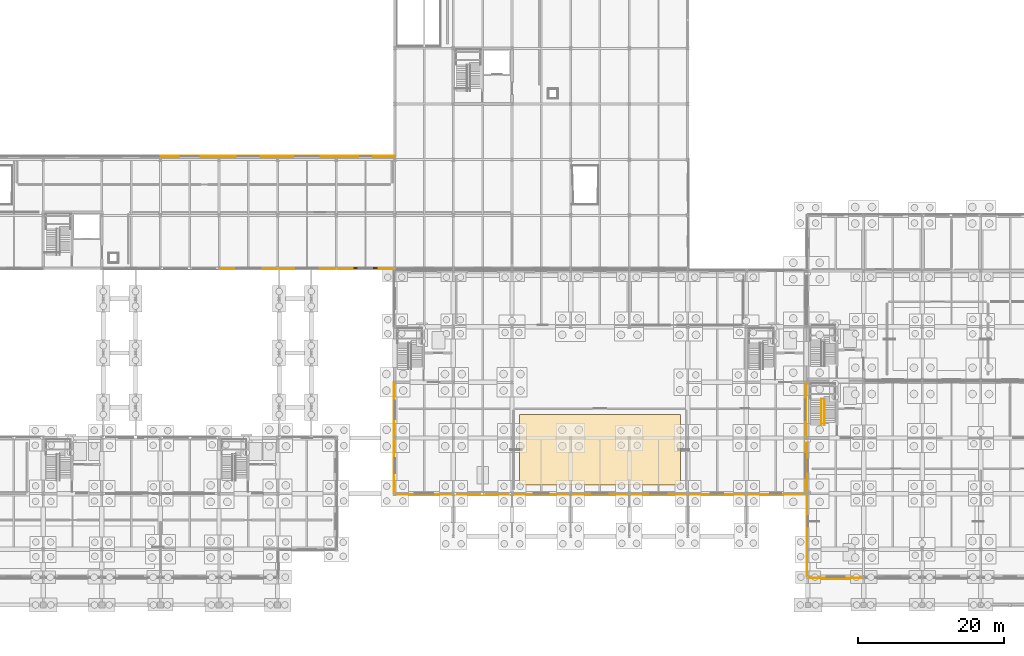
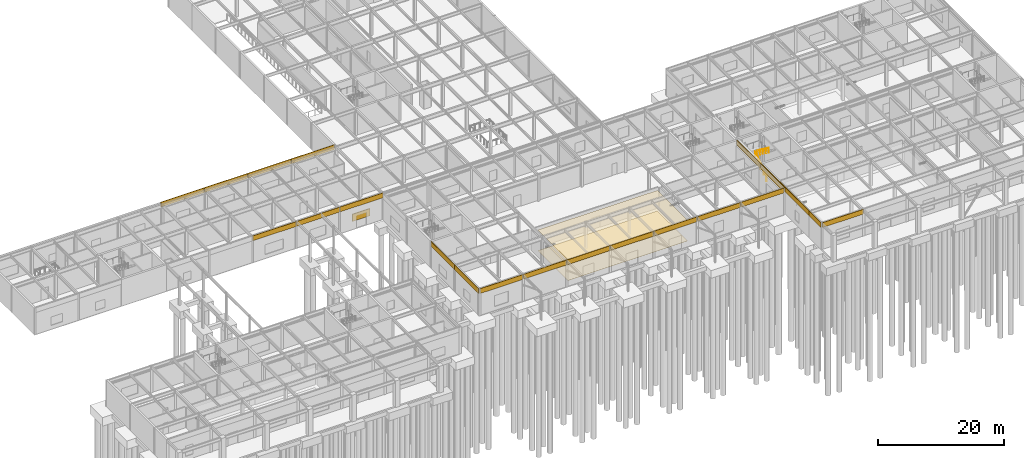
# One storey, part 55 of 62: 24 coverings, 2 railings, 1 shading device.
"""IFC4 building model written with IfcOpenShell, lengths in metres."""

from ifc_helpers import new_model, si_unit, direction, frame, origin, origin_2d, place, context, subcontext, project, spatial, polyline, rectangle, circle, outline, extrude, material, layer, layer_set, type_object, element, save


model = new_model("IFC4")

# Units and contexts
model_context = context("Model", 3, precision=1e-05, world=origin(), true_north=direction((0.0, 1.0)))
body_context = subcontext(model_context, "Body", "Model", "MODEL_VIEW")
ifc_project = project(units=[si_unit("LENGTHUNIT", "METRE"), si_unit("AREAUNIT", "SQUARE_METRE"), si_unit("VOLUMEUNIT", "CUBIC_METRE"), si_unit("PLANEANGLEUNIT", "RADIAN"), si_unit("MASSUNIT", "GRAM", prefix="KILO")], contexts=[model_context])

# Site, building, storey
site_placement = place(None, origin())
site = spatial("IfcSite", under=ifc_project, at=site_placement, CompositionType="ELEMENT")
building_placement = place(site_placement, origin())
building = spatial("IfcBuilding", under=site, at=building_placement, Name="Zulena Civic Courthouse", CompositionType="ELEMENT")
storey_placement = place(building_placement, origin())
storey = spatial("IfcBuildingStorey", under=building, at=storey_placement, Name="L00", CompositionType="ELEMENT", Elevation=0.0)

# Covering
ifc_material_1 = material(Name="Perforated acoustic mineral-fibre ceiling tile", Category="concrete")
ifc_layer_1 = layer(ifc_material_1, 0.02490234375)
ifc_layer_set_1 = layer_set([ifc_layer_1], Name="Perforated acoustic mineral-fibre ceiling tile")
covering_type_1 = type_object("IfcCoveringType", Name="AcousticCeiling_25", PredefinedType="CEILING", material=ifc_layer_set_1)
covering_1_placement = place(storey_placement, frame((0.0, 0.0, 4.02001953125)))
element("IfcCovering", 1, at=covering_1_placement, inside=storey, type_object=covering_type_1, Name="ceil:L00:231", PredefinedType="CEILING", context=body_context, shape_type="SweptSolid", body=[
    extrude(outline(polyline([(85.0, 16.39990234375), (107.0, 16.39990234375), (107.0, 26.0), (85.0, 26.0), (85.0, 16.39990234375)])), origin(), (0.0, 0.0, 1.0), 0.02490234375),
])

# Shading device
ifc_material_2 = material(Name="Bronze anodised thermally broken aluminium AA6063-T6", Category="aluminium")
shading_device_type = type_object("IfcShadingDeviceType", Name="AcousticStormLouvre_2", PredefinedType="JALOUSIE", material=ifc_material_2)
shading_device_placement = place(storey_placement, frame((64.0, 46.0, 1.5), z_axis=(0.0, 0.0, 1.0), x_axis=(1.0, 0.0, 0.0)))
element("IfcShadingDevice", 2, at=shading_device_placement, inside=storey, type_object=shading_device_type, Name="louvre:V5:L00", PredefinedType="JALOUSIE", context=body_context, shape_type="SweptSolid", body=[
    extrude(rectangle(XDim=3.199951171875, YDim=0.14990234375, at=origin_2d()), origin(), (0.0, 0.0, 1.0), 1.39990234375),
])

# Coverings
ifc_material_3 = material(Name="White architectural precast concrete C40/50", Category="concrete")
ifc_layer_2 = layer(ifc_material_3, 0.0849609375)
ifc_layer_set_2 = layer_set([ifc_layer_2], Name="White architectural precast concrete C40/50")
covering_type_2 = type_object("IfcCoveringType", Name="PrecastSpandrelCladding_85", PredefinedType="CLADDING", material=ifc_layer_set_2)
covering_2_placement = place(storey_placement, frame((124.280029296875, 5.699951171875, 4.25), z_axis=(0.0, 0.0, 1.0), x_axis=(0.0, 1.0, 0.0)))
element("IfcCovering", 3, at=covering_2_placement, inside=storey, type_object=covering_type_2, Name="clad:sp:V1:L00:0:0", PredefinedType="CLADDING", context=body_context, shape_type="SweptSolid", body=[
    extrude(rectangle(XDim=3.760009765625, YDim=0.0849609375, at=origin_2d()), origin(), (0.0, 0.0, 1.0), 0.93994140625),
])
for number, where, z_axis, x_axis, name in (
    (4, (124.280029296875, 11.39990234375, 4.25), (0.0, 0.0, 1.0), (0.0, 1.0, 0.0), "clad:sp:V1:L00:0:1"),
    (5, (124.280029296875, 19.0, 4.25), (0.0, 0.0, 1.0), (0.0, 1.0, 0.0), "clad:sp:V1:L00:0:2"),
    (6, (128.199951171875, 3.679931640625, 4.25), (0.0, 0.0, 1.0), (-1.0, 0.0, 0.0), "clad:sp:V1:L00:3:5"),
    (7, (67.8798828125, 19.0, 4.25), (0.0, 0.0, 1.0), (0.0, 1.0, 0.0), "clad:sp:V4:L00:0:0"),
    (8, (67.8798828125, 26.60009765625, 4.25), (0.0, 0.0, 1.0), (0.0, 1.0, 0.0), "clad:sp:V4:L00:0:1"),
    (9, (124.1201171875, 26.60009765625, 4.25), (0.0, 0.0, 1.0), (0.0, -1.0, 0.0), "clad:sp:V4:L00:2:2"),
    (10, (124.1201171875, 19.0, 4.25), (0.0, 0.0, 1.0), (0.0, -1.0, 0.0), "clad:sp:V4:L00:2:3"),
):
    element("IfcCovering", number, at=place(storey_placement, frame(where, z_axis=z_axis, x_axis=x_axis)), inside=storey, type_object=covering_type_2, Name=name, PredefinedType="CLADDING", context=body_context, shape_type="SweptSolid", body=[
        extrude(rectangle(XDim=7.56005859375, YDim=0.0849609375, at=origin_2d()), origin(), (0.0, 0.0, 1.0), 0.93994140625),
    ])
for number, where, z_axis, x_axis, name in (
    (11, (120.0, 15.080078125, 4.25), (0.0, 0.0, 1.0), (-1.0, 0.0, 0.0), "clad:sp:V4:L00:3:0"),
    (12, (112.0, 15.080078125, 4.25), (0.0, 0.0, 1.0), (-1.0, 0.0, 0.0), "clad:sp:V4:L00:3:1"),
    (13, (104.0, 15.080078125, 4.25), (0.0, 0.0, 1.0), (-1.0, 0.0, 0.0), "clad:sp:V4:L00:3:2"),
    (14, (96.0, 15.080078125, 4.25), (0.0, 0.0, 1.0), (-1.0, 0.0, 0.0), "clad:sp:V4:L00:3:3"),
    (15, (88.0, 15.080078125, 4.25), (0.0, 0.0, 1.0), (-1.0, 0.0, 0.0), "clad:sp:V4:L00:3:4"),
    (16, (80.0, 15.080078125, 4.25), (0.0, 0.0, 1.0), (-1.0, 0.0, 0.0), "clad:sp:V4:L00:3:5"),
    (17, (72.0, 15.080078125, 4.25), (0.0, 0.0, 1.0), (-1.0, 0.0, 0.0), "clad:sp:V4:L00:3:6"),
    (18, (40.0, 61.320068359375, 4.25), (0.0, 0.0, 1.0), (1.0, 0.0, 0.0), "clad:sp:V5:L00:1:4"),
    (19, (48.0, 61.320068359375, 4.25), (0.0, 0.0, 1.0), (1.0, 0.0, 0.0), "clad:sp:V5:L00:1:5"),
    (20, (56.0, 61.320068359375, 4.25), (0.0, 0.0, 1.0), (1.0, 0.0, 0.0), "clad:sp:V5:L00:1:6"),
    (21, (64.0, 61.320068359375, 4.25), (0.0, 0.0, 1.0), (1.0, 0.0, 0.0), "clad:sp:V5:L00:1:7"),
    (22, (64.0, 45.8798828125, 4.25), (0.0, 0.0, 1.0), (-1.0, 0.0, 0.0), "clad:sp:V5:L00:5:5"),
    (23, (56.0, 45.8798828125, 4.25), (0.0, 0.0, 1.0), (-1.0, 0.0, 0.0), "clad:sp:V5:L00:5:6"),
    (24, (48.0, 45.8798828125, 4.25), (0.0, 0.0, 1.0), (-1.0, 0.0, 0.0), "clad:sp:V5:L00:5:7"),
):
    element("IfcCovering", number, at=place(storey_placement, frame(where, z_axis=z_axis, x_axis=x_axis)), inside=storey, type_object=covering_type_2, Name=name, PredefinedType="CLADDING", context=body_context, shape_type="SweptSolid", body=[
        extrude(rectangle(XDim=7.9599609375, YDim=0.0849609375, at=origin_2d()), origin(), (0.0, 0.0, 1.0), 0.93994140625),
    ])

# Railings
ifc_material_4 = material(Name="Brushed architectural steel ASTM A36", Category="steel")
railing_type = type_object("IfcRailingType", Name="StairHandrail_920", PredefinedType="HANDRAIL", material=ifc_material_4)
railing_1_placement = place(storey_placement, frame((126.25, 24.580078125, 0.0)))
element("IfcRailing", 25, at=railing_1_placement, inside=storey, type_object=railing_type, Name="hr:K1A:L00:1", PredefinedType="HANDRAIL", context=body_context, shape_type="SweptSolid", body=[
    extrude(circle(Radius=0.02392578125, at=origin_2d()), frame((0.0, 0.003173828125, 0.898193359375), z_axis=(0.0, 0.797551790998, 0.603250479218), x_axis=(-1.0, 0.0, 0.0)), (0.0, 0.0, 1.0), 4.4677734375),
    extrude(circle(Radius=0.02099609375, at=origin_2d()), origin(), (0.0, 0.0, 1.0), 0.867919921875),
    extrude(circle(Radius=0.02099609375, at=origin_2d()), frame((0.0, 0.892333984375, 0.675048828125)), (0.0, 0.0, 1.0), 0.867919921875),
    extrude(circle(Radius=0.02099609375, at=origin_2d()), frame((0.0, 1.78466796875, 1.35009765625)), (0.0, 0.0, 1.0), 0.867919921875),
    extrude(circle(Radius=0.02099609375, at=origin_2d()), frame((0.0, 2.67724609375, 2.02490234375)), (0.0, 0.0, 1.0), 0.867919921875),
    extrude(circle(Radius=0.02099609375, at=origin_2d()), frame((0.0, 3.569580078125, 2.699951171875)), (0.0, 0.0, 1.0), 0.867919921875),
])
railing_2_placement = place(storey_placement, frame((126.64990234375, 28.149658203125, 2.699951171875)))
element("IfcRailing", 26, at=railing_2_placement, inside=storey, type_object=railing_type, Name="hr:K1A:L00:2", PredefinedType="HANDRAIL", context=body_context, shape_type="SweptSolid", body=[
    extrude(circle(Radius=0.02392578125, at=origin_2d()), frame((0.0, -0.003173828125, 0.898193359375), z_axis=(0.0, -0.797551790998, 0.603250479218), x_axis=(1.0, 0.0, 0.0)), (0.0, 0.0, 1.0), 4.4677734375),
    extrude(circle(Radius=0.02099609375, at=origin_2d()), origin(), (0.0, 0.0, 1.0), 0.867919921875),
    extrude(circle(Radius=0.02099609375, at=origin_2d()), frame((0.0, -0.892333984375, 0.675048828125)), (0.0, 0.0, 1.0), 0.867919921875),
    extrude(circle(Radius=0.02099609375, at=origin_2d()), frame((0.0, -1.78466796875, 1.35009765625)), (0.0, 0.0, 1.0), 0.867919921875),
    extrude(circle(Radius=0.02099609375, at=origin_2d()), frame((0.0, -2.67724609375, 2.02490234375)), (0.0, 0.0, 1.0), 0.867919921875),
    extrude(circle(Radius=0.02099609375, at=origin_2d()), frame((0.0, -3.569580078125, 2.699951171875)), (0.0, 0.0, 1.0), 0.867919921875),
])

# Covering
ifc_material_5 = material(Name="Honed travertine stone flooring", Category="masonry")
ifc_layer_3 = layer(ifc_material_5, 0.030029296875)
ifc_layer_set_3 = layer_set([ifc_layer_3], Name="Honed travertine stone flooring")
covering_type_3 = type_object("IfcCoveringType", Name="TravertineFlooring_30", PredefinedType="FLOORING", material=ifc_layer_set_3)
covering_3_placement = place(storey_placement, origin())
element("IfcCovering", 27, at=covering_3_placement, inside=storey, type_object=covering_type_3, Name="floor:L00:231", PredefinedType="FLOORING", context=body_context, shape_type="SweptSolid", body=[
    extrude(outline(polyline([(85.0, 16.39990234375), (107.0, 16.39990234375), (107.0, 26.0), (85.0, 26.0), (85.0, 16.39990234375)])), origin(), (0.0, 0.0, 1.0), 0.030029296875),
])

save(model, "model.ifc")
